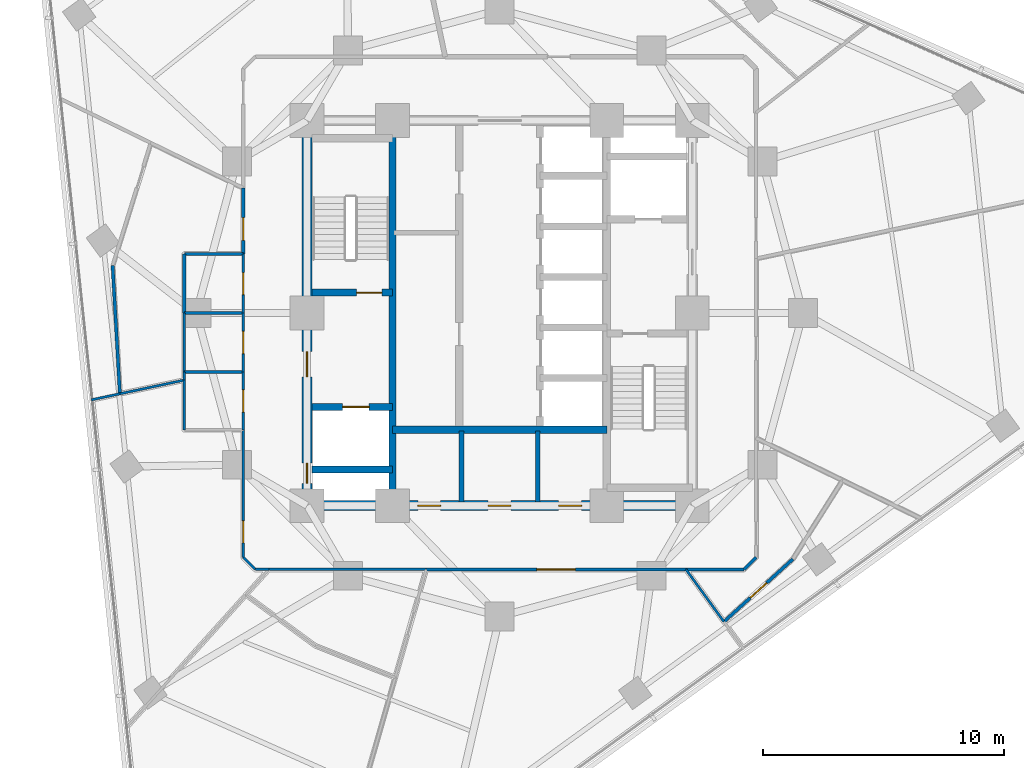
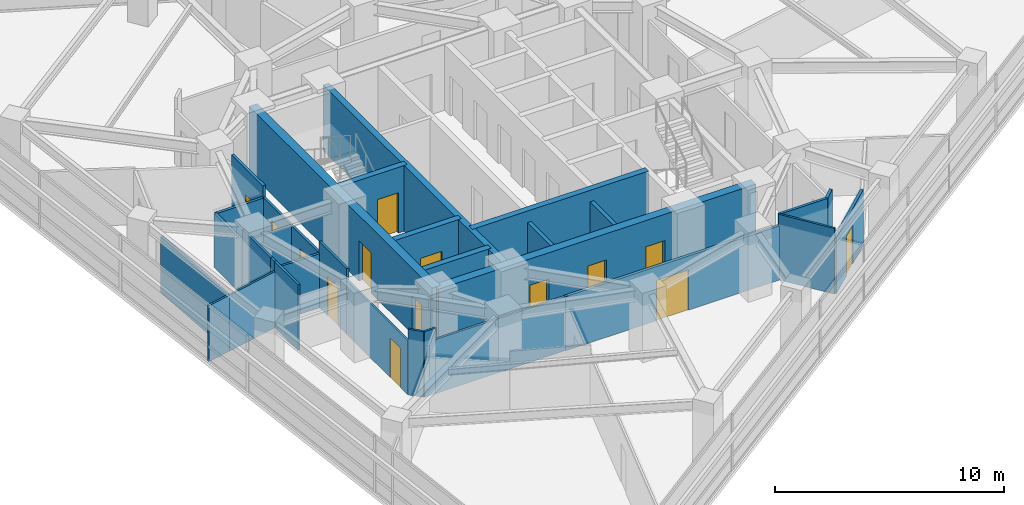
# One storey, part 8 of 14: 32 walls, 14 doors, 14 openings.
"""IFC4 building model written with IfcOpenShell, lengths in metres."""

from ifc_helpers import new_model, si_unit, direction, frame, frame_2d, origin, place, context, subcontext, project, spatial, rectangle, extrude, material, layer, layer_set, type_object, element, fill, save


model = new_model("IFC4")

# Units and contexts
model_context = context("Model", 3, precision=1e-05, world=origin(), true_north=direction((0.0, 1.0)))
body_context = subcontext(model_context, "Body", "Model", "MODEL_VIEW")
ifc_project = project(units=[si_unit("LENGTHUNIT", "METRE"), si_unit("AREAUNIT", "SQUARE_METRE"), si_unit("VOLUMEUNIT", "CUBIC_METRE"), si_unit("PLANEANGLEUNIT", "RADIAN"), si_unit("MASSUNIT", "GRAM", prefix="KILO")], contexts=[model_context])

# Site, building, storey
site_placement = place(None, origin())
site = spatial("IfcSite", under=ifc_project, at=site_placement, CompositionType="ELEMENT")
building_placement = place(site_placement, origin())
building = spatial("IfcBuilding", under=site, at=building_placement, Name="Terralouvre Media Tower", CompositionType="ELEMENT")
storey_placement = place(building_placement, frame((0.0, 0.0, 169.39990234375)))
storey = spatial("IfcBuildingStorey", under=building, at=storey_placement, Name="L43", CompositionType="ELEMENT", Elevation=169.39990234375)

# Wall
ifc_material_1 = material(Name="Concrete C50/60", Category="concrete")
ifc_layer_1 = layer(ifc_material_1, 0.300048828125, Name="Core Internal Shaft Wall CW-300")
ifc_layer_set_1 = layer_set([ifc_layer_1], Name="Concrete C50/60")
wall_type_1 = type_object("IfcWallType", Name="Core Internal Shaft Wall CW-300", PredefinedType="SHEAR", material=ifc_layer_set_1)
wall_1_placement = place(storey_placement, frame((-4.449951171875, -7.7900390625, 0.0), z_axis=(0.0, 0.0, 1.0), x_axis=(0.0, 1.0, 0.0)))
element("IfcWall", 1, at=wall_1_placement, inside=storey, type_object=wall_type_1, Name="L43 Core Shaft Wall SPW", PredefinedType="SHEAR", context=body_context, shape_type="SweptSolid", body=[
    extrude(rectangle(XDim=15.580078125, YDim=0.300048828125, at=frame_2d((7.7900390625, 0.0))), origin(), (0.0, 0.0, 1.0), 3.5),
])

# Wall, opening, door
wall_2_placement = place(storey_placement, frame((-7.7900390625, 0.85009765625, 0.0), z_axis=(0.0, 0.0, 1.0), x_axis=(1.0, 0.0, 0.0)))
wall_2 = element("IfcWall", 2, at=wall_2_placement, inside=storey, type_object=wall_type_1, Name="L43 Core Shaft Wall ST1D", PredefinedType="SHEAR", context=body_context, shape_type="SweptSolid", body=[
    extrude(rectangle(XDim=3.340087890625, YDim=0.300048828125, at=frame_2d((1.669921875, 0.0))), origin(), (0.0, 0.0, 1.0), 3.5),
])
opening_1_placement = place(wall_2_placement, frame((1.85009765625, 0.0, 0.0)))
opening_1 = element("IfcOpeningElement", 3, at=opening_1_placement, cuts=wall_2, Name="Opening FD-01-105X215", PredefinedType="OPENING", context=body_context, shape_type="SweptSolid", body=[
    extrude(rectangle(XDim=1.050048828125, YDim=2.14990234375, at=frame_2d((0.52490234375, 1.074951171875))), frame((0.0, 0.159912109375, 0.0), z_axis=(0.0, -1.0, 0.0), x_axis=(1.0, 0.0, 0.0)), (0.0, 0.0, 1.0), 0.320068359375),
])
ifc_material_2 = material(Name="Galvanised steel fire-resisting leaf", Category="steel")
door_type_1 = type_object("IfcDoorType", Name="Stair and Firefighting Lobby Fire Door FD-01 (1050x2150)", OperationType="NOTDEFINED", PredefinedType="DOOR", material=ifc_material_2)
door_1_placement = place(opening_1_placement, origin())
door_1 = element("IfcDoor", 4, at=door_1_placement, inside=storey, type_object=door_type_1, Name="L43 ST-01 Exit Stair Door", OperationType="SINGLE_SWING_LEFT", OverallHeight=2.14990234375, OverallWidth=1.050048828125, PredefinedType="DOOR", context=body_context, shape_type="SweptSolid", body=[
    extrude(rectangle(XDim=1.050048828125, YDim=2.14990234375, at=frame_2d((0.52490234375, 1.074951171875))), frame((0.0, 0.02490234375, 0.0), z_axis=(0.0, -1.0, 0.0), x_axis=(1.0, 0.0, 0.0)), (0.0, 0.0, 1.0), 0.050048828125),
])
fill(opening_1, door_1)

wall_3_placement = place(storey_placement, frame((-7.7900390625, -3.89990234375, 0.0), z_axis=(0.0, 0.0, 1.0), x_axis=(1.0, 0.0, 0.0)))
wall_3 = element("IfcWall", 5, at=wall_3_placement, inside=storey, type_object=wall_type_1, Name="L43 Core Shaft Wall FF1N", PredefinedType="SHEAR", context=body_context, shape_type="SweptSolid", body=[
    extrude(rectangle(XDim=3.340087890625, YDim=0.300048828125, at=frame_2d((1.669921875, 0.0))), origin(), (0.0, 0.0, 1.0), 3.5),
])
opening_2_placement = place(wall_3_placement, frame((1.27001953125, 0.0, 0.0)))
opening_2 = element("IfcOpeningElement", 6, at=opening_2_placement, cuts=wall_3, Name="Opening LD-FF", PredefinedType="OPENING", context=body_context, shape_type="SweptSolid", body=[
    extrude(rectangle(XDim=1.10009765625, YDim=2.10009765625, at=frame_2d((0.550048828125, 1.050048828125))), frame((0.0, 0.159912109375, 0.0), z_axis=(0.0, -1.0, 0.0), x_axis=(1.0, 0.0, 0.0)), (0.0, 0.0, 1.0), 0.320068359375),
])
ifc_material_3 = material(Name="Stainless steel 316 handrail and balustrade", Category="steel")
door_type_2 = type_object("IfcDoorType", Name="Firefighting Lift Sliding Landing Door LD-FF", OperationType="SLIDING_TO_LEFT", PredefinedType="DOOR", material=ifc_material_3)
door_2_placement = place(opening_2_placement, origin())
door_2 = element("IfcDoor", 7, at=door_2_placement, inside=storey, type_object=door_type_2, Name="L43 Firefighting Lift FFL-01 Landing Door", OperationType="SLIDING_TO_LEFT", OverallHeight=2.10009765625, OverallWidth=1.10009765625, PredefinedType="DOOR", context=body_context, shape_type="SweptSolid", body=[
    extrude(rectangle(XDim=1.10009765625, YDim=2.10009765625, at=frame_2d((0.550048828125, 1.050048828125))), frame((0.0, 0.02490234375, 0.0), z_axis=(0.0, -1.0, 0.0), x_axis=(1.0, 0.0, 0.0)), (0.0, 0.0, 1.0), 0.050048828125),
])
fill(opening_2, door_2)

# Walls
wall_4_placement = place(storey_placement, frame((-7.7900390625, -6.5, 0.0), z_axis=(0.0, 0.0, 1.0), x_axis=(1.0, 0.0, 0.0)))
element("IfcWall", 8, at=wall_4_placement, inside=storey, type_object=wall_type_1, Name="L43 Core Shaft Wall FF1S", PredefinedType="SHEAR", context=body_context, shape_type="SweptSolid", body=[
    extrude(rectangle(XDim=3.340087890625, YDim=0.300048828125, at=frame_2d((1.669921875, 0.0))), origin(), (0.0, 0.0, 1.0), 3.5),
])
wall_5_placement = place(storey_placement, frame((-4.449951171875, -4.85009765625, 0.0), z_axis=(0.0, 0.0, 1.0), x_axis=(1.0, 0.0, 0.0)))
element("IfcWall", 9, at=wall_5_placement, inside=storey, type_object=wall_type_1, Name="L43 Core Shaft Wall CSBN", PredefinedType="SHEAR", context=body_context, shape_type="SweptSolid", body=[
    extrude(rectangle(XDim=8.89990234375, YDim=0.300048828125, at=frame_2d((4.449951171875, 0.0))), origin(), (0.0, 0.0, 1.0), 3.5),
])

# Wall, openings, doors
ifc_material_4 = material(Name="Concrete C60/75", Category="concrete")
ifc_layer_2 = layer(ifc_material_4, 0.419921875, Name="Core Reinforced Concrete Shear Wall CW-420")
ifc_layer_set_2 = layer_set([ifc_layer_2], Name="Concrete C60/75")
wall_type_2 = type_object("IfcWallType", Name="Core Reinforced Concrete Shear Wall CW-420", PredefinedType="SHEAR", material=ifc_layer_set_2)
wall_6_placement = place(storey_placement, frame((-8.0, -8.0, 0.0), z_axis=(0.0, 0.0, 1.0), x_axis=(0.0, 1.0, 0.0)))
wall_6 = element("IfcWall", 10, at=wall_6_placement, inside=storey, type_object=wall_type_2, Name="L43 W Core Shear Wall", PredefinedType="SHEAR", context=body_context, shape_type="SweptSolid", body=[
    extrude(rectangle(XDim=16.0, YDim=0.419921875, at=frame_2d((8.0, 0.0))), origin(), (0.0, 0.0, 1.0), 3.5),
])
opening_3_placement = place(wall_6_placement, frame((0.921630859375, 0.0, 0.0)))
opening_3 = element("IfcOpeningElement", 11, at=opening_3_placement, cuts=wall_6, Name="Opening TD-R1", PredefinedType="OPENING", context=body_context, shape_type="SweptSolid", body=[
    extrude(rectangle(XDim=0.85009765625, YDim=2.02001953125, at=frame_2d((0.425048828125, 1.010009765625))), frame((0.0, 0.219970703125, 0.0), z_axis=(0.0, -1.0, 0.0), x_axis=(1.0, 0.0, 0.0)), (0.0, 0.0, 1.0), 0.43994140625),
])
opening_4_placement = place(wall_6_placement, frame((5.35009765625, 0.0, 0.0)))
opening_4 = element("IfcOpeningElement", 12, at=opening_4_placement, cuts=wall_6, Name="Opening FD-01-105X215", PredefinedType="OPENING", context=body_context, shape_type="SweptSolid", body=[
    extrude(rectangle(XDim=1.050048828125, YDim=2.14990234375, at=frame_2d((0.52490234375, 1.074951171875))), frame((0.0, 0.219970703125, 0.0), z_axis=(0.0, -1.0, 0.0), x_axis=(1.0, 0.0, 0.0)), (0.0, 0.0, 1.0), 0.43994140625),
])
ifc_material_5 = material(Name="Galvanised steel fire-resisting leaf", Category="steel")
door_type_3 = type_object("IfcDoorType", Name="Riser Inspection Access Trapdoor TD-R1", OperationType="NOTDEFINED", PredefinedType="TRAPDOOR", material=ifc_material_5)
door_3_placement = place(opening_3_placement, origin())
door_3 = element("IfcDoor", 13, at=door_3_placement, inside=storey, type_object=door_type_3, Name="L43 Wet Riser Access Trapdoor", OperationType="SINGLE_SWING_LEFT", OverallHeight=2.02001953125, OverallWidth=0.85009765625, PredefinedType="TRAPDOOR", context=body_context, shape_type="SweptSolid", body=[
    extrude(rectangle(XDim=0.85009765625, YDim=2.02001953125, at=frame_2d((0.425048828125, 1.010009765625))), frame((0.0, 0.02490234375, 0.0), z_axis=(0.0, -1.0, 0.0), x_axis=(1.0, 0.0, 0.0)), (0.0, 0.0, 1.0), 0.050048828125),
])
fill(opening_3, door_3)
door_4_placement = place(opening_4_placement, origin())
door_4 = element("IfcDoor", 14, at=door_4_placement, inside=storey, type_object=door_type_1, Name="L43 West Firefighting Lobby Entry Door", OperationType="SINGLE_SWING_RIGHT", OverallHeight=2.14990234375, OverallWidth=1.050048828125, PredefinedType="DOOR", context=body_context, shape_type="SweptSolid", body=[
    extrude(rectangle(XDim=1.050048828125, YDim=2.14990234375, at=frame_2d((0.52490234375, 1.074951171875))), frame((0.0, 0.02490234375, 0.0), z_axis=(0.0, -1.0, 0.0), x_axis=(1.0, 0.0, 0.0)), (0.0, 0.0, 1.0), 0.050048828125),
])
fill(opening_4, door_4)

wall_7_placement = place(storey_placement, frame((-8.0, -8.0, 0.0), z_axis=(0.0, 0.0, 1.0), x_axis=(1.0, 0.0, 0.0)))
wall_7 = element("IfcWall", 15, at=wall_7_placement, inside=storey, type_object=wall_type_2, Name="L43 S Core Shear Wall", PredefinedType="SHEAR", context=body_context, shape_type="SweptSolid", body=[
    extrude(rectangle(XDim=16.0, YDim=0.419921875, at=frame_2d((8.0, 0.0))), origin(), (0.0, 0.0, 1.0), 3.5),
])
opening_5_placement = place(wall_7_placement, frame((4.60009765625, 0.0, 0.0)))
opening_5 = element("IfcOpeningElement", 16, at=opening_5_placement, cuts=wall_7, Name="Opening FD-02-95X210", PredefinedType="OPENING", context=body_context, shape_type="SweptSolid", body=[
    extrude(rectangle(XDim=0.949951171875, YDim=2.10009765625, at=frame_2d((0.47509765625, 1.050048828125))), frame((0.0, 0.219970703125, 0.0), z_axis=(0.0, -1.0, 0.0), x_axis=(1.0, 0.0, 0.0)), (0.0, 0.0, 1.0), 0.43994140625),
])
opening_6_placement = place(wall_7_placement, frame((7.52001953125, 0.0, 0.0)))
opening_6 = element("IfcOpeningElement", 17, at=opening_6_placement, cuts=wall_7, Name="Opening FD-02-95X210", PredefinedType="OPENING", context=body_context, shape_type="SweptSolid", body=[
    extrude(rectangle(XDim=0.949951171875, YDim=2.10009765625, at=frame_2d((0.47509765625, 1.050048828125))), frame((0.0, 0.219970703125, 0.0), z_axis=(0.0, -1.0, 0.0), x_axis=(1.0, 0.0, 0.0)), (0.0, 0.0, 1.0), 0.43994140625),
])
opening_7_placement = place(wall_7_placement, frame((10.449951171875, 0.0, 0.0)))
opening_7 = element("IfcOpeningElement", 18, at=opening_7_placement, cuts=wall_7, Name="Opening FD-02-95X210", PredefinedType="OPENING", context=body_context, shape_type="SweptSolid", body=[
    extrude(rectangle(XDim=0.949951171875, YDim=2.10009765625, at=frame_2d((0.47509765625, 1.050048828125))), frame((0.0, 0.219970703125, 0.0), z_axis=(0.0, -1.0, 0.0), x_axis=(1.0, 0.0, 0.0)), (0.0, 0.0, 1.0), 0.43994140625),
])
ifc_material_6 = material(Name="Galvanised steel fire-resisting leaf", Category="steel")
door_type_4 = type_object("IfcDoorType", Name="Plant and Riser Fire Door FD-02 (950x2100)", OperationType="NOTDEFINED", PredefinedType="DOOR", material=ifc_material_6)
door_5_placement = place(opening_5_placement, origin())
door_5 = element("IfcDoor", 19, at=door_5_placement, inside=storey, type_object=door_type_4, Name="L43 Core Janitor Store Door", OperationType="SINGLE_SWING_LEFT", OverallHeight=2.10009765625, OverallWidth=0.949951171875, PredefinedType="DOOR", context=body_context, shape_type="SweptSolid", body=[
    extrude(rectangle(XDim=0.949951171875, YDim=2.10009765625, at=frame_2d((0.47509765625, 1.050048828125))), frame((0.0, 0.02490234375, 0.0), z_axis=(0.0, -1.0, 0.0), x_axis=(1.0, 0.0, 0.0)), (0.0, 0.0, 1.0), 0.050048828125),
])
fill(opening_5, door_5)
door_6_placement = place(opening_6_placement, origin())
door_6 = element("IfcDoor", 20, at=door_6_placement, inside=storey, type_object=door_type_4, Name="L43 Core Linen Store Door", OperationType="SINGLE_SWING_RIGHT", OverallHeight=2.10009765625, OverallWidth=0.949951171875, PredefinedType="DOOR", context=body_context, shape_type="SweptSolid", body=[
    extrude(rectangle(XDim=0.949951171875, YDim=2.10009765625, at=frame_2d((0.47509765625, 1.050048828125))), frame((0.0, 0.02490234375, 0.0), z_axis=(0.0, -1.0, 0.0), x_axis=(1.0, 0.0, 0.0)), (0.0, 0.0, 1.0), 0.050048828125),
])
fill(opening_6, door_6)
door_7_placement = place(opening_7_placement, origin())
door_7 = element("IfcDoor", 21, at=door_7_placement, inside=storey, type_object=door_type_4, Name="L43 Core Metering Plant Door", OperationType="SINGLE_SWING_LEFT", OverallHeight=2.10009765625, OverallWidth=0.949951171875, PredefinedType="DOOR", context=body_context, shape_type="SweptSolid", body=[
    extrude(rectangle(XDim=0.949951171875, YDim=2.10009765625, at=frame_2d((0.47509765625, 1.050048828125))), frame((0.0, 0.02490234375, 0.0), z_axis=(0.0, -1.0, 0.0), x_axis=(1.0, 0.0, 0.0)), (0.0, 0.0, 1.0), 0.050048828125),
])
fill(opening_7, door_7)

# Wall, opening, door
ifc_material_7 = material(Name="Low-iron laminated double glazing with solar-control coating", Category="glass")
ifc_layer_3 = layer(ifc_material_7, 0.10009765625, Name="Demountable Glazed Office Partition PT-GL100")
ifc_layer_set_3 = layer_set([ifc_layer_3], Name="Low-iron laminated double glazing with solar-control coating")
wall_type_3 = type_object("IfcWallType", Name="Demountable Glazed Office Partition PT-GL100", PredefinedType="MOVABLE", material=ifc_layer_set_3)
wall_8_placement = place(storey_placement, frame((-10.64990234375, -4.85009765625, 0.0), z_axis=(0.0, 0.0, 1.0), x_axis=(0.0, -1.0, 0.0)))
wall_8 = element("IfcWall", 22, at=wall_8_placement, inside=storey, type_object=wall_type_3, Name="L43 Interior Partition 003", PredefinedType="MOVABLE", context=body_context, shape_type="SweptSolid", body=[
    extrude(rectangle(XDim=5.2998046875, YDim=0.10009765625, at=frame_2d((2.64990234375, 0.0))), origin(), (0.0, 0.0, 1.0), 2.885009765625),
])
opening_8_placement = place(wall_8_placement, frame((3.780029296875, 0.0, 0.0)))
opening_8 = element("IfcOpeningElement", 23, at=opening_8_placement, cuts=wall_8, Name="Opening ID-03-92X210", PredefinedType="OPENING", context=body_context, shape_type="SweptSolid", body=[
    extrude(rectangle(XDim=0.919921875, YDim=2.10009765625, at=frame_2d((0.4599609375, 1.050048828125))), frame((0.0, 0.06005859375, 0.0), z_axis=(0.0, -1.0, 0.0), x_axis=(1.0, 0.0, 0.0)), (0.0, 0.0, 1.0), 0.1201171875),
])
ifc_material_8 = material(Name="Engineered hardwood acoustic timber leaf", Category="wood")
door_type_5 = type_object("IfcDoorType", Name="Accessible Restroom and Suite Door ID-03 (920x2100)", OperationType="NOTDEFINED", PredefinedType="DOOR", material=ifc_material_8)
door_8_placement = place(opening_8_placement, origin())
door_8 = element("IfcDoor", 24, at=door_8_placement, inside=storey, type_object=door_type_5, Name="L43 Journalism Training Classroom 1 Door", OperationType="SINGLE_SWING_RIGHT", OverallHeight=2.10009765625, OverallWidth=0.919921875, PredefinedType="DOOR", context=body_context, shape_type="SweptSolid", body=[
    extrude(rectangle(XDim=0.919921875, YDim=2.10009765625, at=frame_2d((0.4599609375, 1.050048828125))), frame((0.0, 0.02490234375, 0.0), z_axis=(0.0, -1.0, 0.0), x_axis=(1.0, 0.0, 0.0)), (0.0, 0.0, 1.0), 0.050048828125),
])
fill(opening_8, door_8)

# Walls
wall_9_placement = place(storey_placement, frame((-10.64990234375, -10.14990234375, 0.0), z_axis=(0.0, 0.0, 1.0), x_axis=(0.707106781187, -0.707106781187, 0.0)))
element("IfcWall", 25, at=wall_9_placement, inside=storey, type_object=wall_type_3, Name="L43 Interior Partition 004", PredefinedType="MOVABLE", context=body_context, shape_type="SweptSolid", body=[
    extrude(rectangle(XDim=0.70703125, YDim=0.10009765625, at=frame_2d((0.353515625, 0.0))), origin(), (0.0, 0.0, 1.0), 3.5),
])
wall_10_placement = place(storey_placement, frame((-10.14990234375, -10.64990234375, 0.0), z_axis=(0.0, 0.0, 1.0), x_axis=(1.0, 0.0, 0.0)))
element("IfcWall", 26, at=wall_10_placement, inside=storey, type_object=wall_type_3, Name="L43 Interior Partition 005", PredefinedType="MOVABLE", context=body_context, shape_type="SweptSolid", body=[
    extrude(rectangle(XDim=0.560791015625, YDim=0.10009765625, at=frame_2d((0.2802734375, 0.0))), origin(), (0.0, 0.0, 1.0), 3.5),
])
wall_11_placement = place(storey_placement, frame((-9.589111328125, -10.64990234375, 0.0), z_axis=(0.0, 0.0, 1.0), x_axis=(1.0, 0.0, 0.0)))
element("IfcWall", 27, at=wall_11_placement, inside=storey, type_object=wall_type_3, Name="L43 Interior Partition 006", PredefinedType="MOVABLE", context=body_context, shape_type="SweptSolid", body=[
    extrude(rectangle(XDim=6.53515625, YDim=0.10009765625, at=frame_2d((3.267578125, 0.0))), origin(), (0.0, 0.0, 1.0), 2.885009765625),
])
wall_12_placement = place(storey_placement, frame((-15.777099609375, -3.35302734375, 0.0), z_axis=(0.0, 0.0, 1.0), x_axis=(-0.978029023755, -0.208468771503, 0.0)))
element("IfcWall", 28, at=wall_12_placement, inside=storey, type_object=wall_type_3, Name="L43 Interior Partition 029", PredefinedType="MOVABLE", context=body_context, shape_type="SweptSolid", body=[
    extrude(rectangle(XDim=1.2109375, YDim=0.10009765625, at=frame_2d((0.60546875, 0.0))), origin(), (0.0, 0.0, 1.0), 2.985107421875),
])
wall_13_placement = place(storey_placement, frame((-13.10009765625, -2.783935546875, 0.0), z_axis=(0.0, 0.0, 1.0), x_axis=(-0.978141843994, -0.207938772307, 0.0)))
element("IfcWall", 29, at=wall_13_placement, inside=storey, type_object=wall_type_3, Name="L43 Interior Partition 030", PredefinedType="MOVABLE", context=body_context, shape_type="SweptSolid", body=[
    extrude(rectangle(XDim=2.73681640625, YDim=0.10009765625, at=frame_2d((1.368408203125, 0.0))), origin(), (0.0, 0.0, 1.0), 2.985107421875),
])
wall_14_placement = place(storey_placement, frame((9.31591796875, -12.822021484375, 0.0), z_axis=(0.0, 0.0, 1.0), x_axis=(-0.587722823028, 0.80906234821, 0.0)))
element("IfcWall", 30, at=wall_14_placement, inside=storey, type_object=wall_type_3, Name="L43 Interior Partition 035", PredefinedType="MOVABLE", context=body_context, shape_type="SweptSolid", body=[
    extrude(rectangle(XDim=2.684814453125, YDim=0.10009765625, at=frame_2d((1.34228515625, 0.0))), origin(), (0.0, 0.0, 1.0), 3.5),
])
ifc_material_9 = material(Name="Fire-rated gypsum board drywall partition")
ifc_layer_4 = layer(ifc_material_9, 0.199951171875, Name="Fire-Rated Shaft and Lobby Partition FW-200")
ifc_layer_set_4 = layer_set([ifc_layer_4], Name="Fire-rated gypsum board drywall partition")
wall_type_4 = type_object("IfcWallType", Name="Fire-Rated Shaft and Lobby Partition FW-200", PredefinedType="SOLIDWALL", material=ifc_layer_set_4)
for number, where, z_axis, x_axis, name in (
    (31, (-1.580078125, -7.85009765625, 0.0), (0.0, 0.0, 1.0), (0.0, 1.0, 0.0), "L43 Core Service Bay Partition 1"),
    (32, (1.580078125, -7.85009765625, 0.0), (0.0, 0.0, 1.0), (0.0, 1.0, 0.0), "L43 Core Service Bay Partition 2"),
):
    element("IfcWall", number, at=place(storey_placement, frame(where, z_axis=z_axis, x_axis=x_axis)), inside=storey, type_object=wall_type_4, Name=name, PredefinedType="SOLIDWALL", context=body_context, shape_type="SweptSolid", body=[
        extrude(rectangle(XDim=2.9501953125, YDim=0.199951171875, at=frame_2d((1.47509765625, 0.0))), origin(), (0.0, 0.0, 1.0), 2.885009765625),
    ])

# Wall, opening, door
ifc_material_10 = material(Name="Fire-rated gypsum board drywall partition")
ifc_layer_5 = layer(ifc_material_10, 0.135009765625, Name="Newsroom Acoustic Partition PT-135")
ifc_layer_set_5 = layer_set([ifc_layer_5], Name="Fire-rated gypsum board drywall partition")
wall_type_5 = type_object("IfcWallType", Name="Newsroom Acoustic Partition PT-135", PredefinedType="PARTITIONING", material=ifc_layer_set_5)
wall_15_placement = place(storey_placement, frame((-3.053955078125, -10.64990234375, 0.0), z_axis=(0.0, 0.0, 1.0), x_axis=(1.0, 0.0, 0.0)))
wall_15 = element("IfcWall", 33, at=wall_15_placement, inside=storey, type_object=wall_type_5, Name="L43 Interior Partition 007", PredefinedType="PARTITIONING", context=body_context, shape_type="SweptSolid", body=[
    extrude(rectangle(XDim=10.7919921875, YDim=0.135009765625, at=frame_2d((5.39599609375, 0.0))), origin(), (0.0, 0.0, 1.0), 2.885009765625),
])
opening_9_placement = place(wall_15_placement, frame((4.595947265625, 0.0, 0.0)))
opening_9 = element("IfcOpeningElement", 34, at=opening_9_placement, cuts=wall_15, Name="Opening ID-04-160X215", PredefinedType="OPENING", context=body_context, shape_type="SweptSolid", body=[
    extrude(rectangle(XDim=1.60009765625, YDim=2.14990234375, at=frame_2d((0.800048828125, 1.074951171875))), frame((0.0, 0.077392578125, 0.0), z_axis=(0.0, -1.0, 0.0), x_axis=(1.0, 0.0, 0.0)), (0.0, 0.0, 1.0), 0.155029296875),
])
ifc_material_11 = material(Name="Engineered hardwood acoustic timber leaf", Category="wood")
door_type_6 = type_object("IfcDoorType", Name="Conference Double Acoustic Door ID-04 (1600x2150)", OperationType="DOUBLE_DOOR_SINGLE_SWING", PredefinedType="DOOR", material=ifc_material_11)
door_9_placement = place(opening_9_placement, origin())
door_9 = element("IfcDoor", 35, at=door_9_placement, inside=storey, type_object=door_type_6, Name="L43 Digital Editing Lecture Room 4 Door", OperationType="DOUBLE_DOOR_SINGLE_SWING", OverallHeight=2.14990234375, OverallWidth=1.60009765625, PredefinedType="DOOR", context=body_context, shape_type="SweptSolid", body=[
    extrude(rectangle(XDim=1.60009765625, YDim=2.14990234375, at=frame_2d((0.800048828125, 1.074951171875))), frame((0.0, 0.02490234375, 0.0), z_axis=(0.0, -1.0, 0.0), x_axis=(1.0, 0.0, 0.0)), (0.0, 0.0, 1.0), 0.050048828125),
])
fill(opening_9, door_9)

# Walls
wall_16_placement = place(storey_placement, frame((7.738037109375, -10.64990234375, 0.0), z_axis=(0.0, 0.0, 1.0), x_axis=(1.0, 0.0, 0.0)))
element("IfcWall", 36, at=wall_16_placement, inside=storey, type_object=wall_type_5, Name="L43 Interior Partition 008", PredefinedType="PARTITIONING", context=body_context, shape_type="SweptSolid", body=[
    extrude(rectangle(XDim=2.411865234375, YDim=0.135009765625, at=frame_2d((1.2060546875, 0.0))), origin(), (0.0, 0.0, 1.0), 3.5),
])
wall_17_placement = place(storey_placement, frame((10.14990234375, -10.64990234375, 0.0), z_axis=(0.0, 0.0, 1.0), x_axis=(0.707106781187, 0.707106781187, 0.0)))
element("IfcWall", 37, at=wall_17_placement, inside=storey, type_object=wall_type_5, Name="L43 Interior Partition 009", PredefinedType="PARTITIONING", context=body_context, shape_type="SweptSolid", body=[
    extrude(rectangle(XDim=0.70703125, YDim=0.135009765625, at=frame_2d((0.353515625, 0.0))), origin(), (0.0, 0.0, 1.0), 3.5),
])

# Wall, opening, door
wall_18_placement = place(storey_placement, frame((-10.64990234375, 5.194091796875, 0.0), z_axis=(0.0, 0.0, 1.0), x_axis=(0.0, -1.0, 0.0)))
wall_18 = element("IfcWall", 38, at=wall_18_placement, inside=storey, type_object=wall_type_5, Name="L43 Interior Partition 019", PredefinedType="PARTITIONING", context=body_context, shape_type="SweptSolid", body=[
    extrude(rectangle(XDim=2.744140625, YDim=0.135009765625, at=frame_2d((1.3720703125, 0.0))), origin(), (0.0, 0.0, 1.0), 3.5),
])
opening_10_placement = place(wall_18_placement, frame((1.226318359375, 0.0, 0.0)))
opening_10 = element("IfcOpeningElement", 39, at=opening_10_placement, cuts=wall_18, Name="Opening ID-02-95X210", PredefinedType="OPENING", context=body_context, shape_type="SweptSolid", body=[
    extrude(rectangle(XDim=0.949951171875, YDim=2.10009765625, at=frame_2d((0.47509765625, 1.050048828125))), frame((0.0, 0.077392578125, 0.0), z_axis=(0.0, -1.0, 0.0), x_axis=(1.0, 0.0, 0.0)), (0.0, 0.0, 1.0), 0.155029296875),
])
ifc_material_12 = material(Name="Engineered hardwood acoustic timber leaf", Category="wood")
door_type_7 = type_object("IfcDoorType", Name="Office and Meeting Room Door ID-02 (950x2100)", OperationType="NOTDEFINED", PredefinedType="DOOR", material=ifc_material_12)
door_10_placement = place(opening_10_placement, origin())
door_10 = element("IfcDoor", 40, at=door_10_placement, inside=storey, type_object=door_type_7, Name="L43 Admissions Reception 13 Door", OperationType="SINGLE_SWING_LEFT", OverallHeight=2.10009765625, OverallWidth=0.949951171875, PredefinedType="DOOR", context=body_context, shape_type="SweptSolid", body=[
    extrude(rectangle(XDim=0.949951171875, YDim=2.10009765625, at=frame_2d((0.47509765625, 1.050048828125))), frame((0.0, 0.02490234375, 0.0), z_axis=(0.0, -1.0, 0.0), x_axis=(1.0, 0.0, 0.0)), (0.0, 0.0, 1.0), 0.050048828125),
])
fill(opening_10, door_10)

wall_19_placement = place(storey_placement, frame((9.31591796875, -12.822021484375, 0.0), z_axis=(0.0, 0.0, 1.0), x_axis=(0.740145591151, 0.672446655058, 0.0)))
wall_19 = element("IfcWall", 41, at=wall_19_placement, inside=storey, type_object=wall_type_5, Name="L43 Interior Partition 037", PredefinedType="PARTITIONING", context=body_context, shape_type="SweptSolid", body=[
    extrude(rectangle(XDim=3.86962890625, YDim=0.135009765625, at=frame_2d((1.934814453125, 0.0))), origin(), (0.0, 0.0, 1.0), 2.985107421875),
])
opening_11_placement = place(wall_19_placement, frame((1.474609375, 0.0, 0.0)))
opening_11 = element("IfcOpeningElement", 42, at=opening_11_placement, cuts=wall_19, Name="Opening ID-03-92X210", PredefinedType="OPENING", context=body_context, shape_type="SweptSolid", body=[
    extrude(rectangle(XDim=0.919921875, YDim=2.10009765625, at=frame_2d((0.4599609375, 1.050048828125))), frame((0.0, 0.077392578125, 0.0), z_axis=(0.0, -1.0, 0.0), x_axis=(1.0, 0.0, 0.0)), (0.0, 0.0, 1.0), 0.155029296875),
])
door_11_placement = place(opening_11_placement, origin())
door_11 = element("IfcDoor", 43, at=door_11_placement, inside=storey, type_object=door_type_5, Name="L43 Periodicals Reading Club 6 Door", OperationType="SINGLE_SWING_LEFT", OverallHeight=2.10009765625, OverallWidth=0.919921875, PredefinedType="DOOR", context=body_context, shape_type="SweptSolid", body=[
    extrude(rectangle(XDim=0.919921875, YDim=2.10009765625, at=frame_2d((0.4599609375, 1.050048828125))), frame((0.0, 0.02490234375, 0.0), z_axis=(0.0, -1.0, 0.0), x_axis=(1.0, 0.0, 0.0)), (0.0, 0.0, 1.0), 0.050048828125),
])
fill(opening_11, door_11)

# Walls
wall_20_placement = place(storey_placement, frame((-15.777099609375, -3.35302734375, 0.0), z_axis=(0.0, 0.0, 1.0), x_axis=(-0.056600228811, 0.99839692212, 0.0)))
element("IfcWall", 44, at=wall_20_placement, inside=storey, type_object=wall_type_5, Name="L43 Interior Partition 051", PredefinedType="PARTITIONING", context=body_context, shape_type="SweptSolid", body=[
    extrude(rectangle(XDim=5.335693359375, YDim=0.135009765625, at=frame_2d((2.66796875, 0.0))), origin(), (0.0, 0.0, 1.0), 2.985107421875),
])
wall_21_placement = place(storey_placement, frame((-13.10009765625, 0.0, 0.0), z_axis=(0.0, 0.0, 1.0), x_axis=(0.0, 1.0, 0.0)))
element("IfcWall", 45, at=wall_21_placement, inside=storey, type_object=wall_type_5, Name="L43 Interior Partition 053", PredefinedType="PARTITIONING", context=body_context, shape_type="SweptSolid", body=[
    extrude(rectangle(XDim=2.449951171875, YDim=0.135009765625, at=frame_2d((1.22509765625, 0.0))), origin(), (0.0, 0.0, 1.0), 2.885009765625),
])
wall_22_placement = place(storey_placement, frame((-13.10009765625, 2.449951171875, 0.0), z_axis=(0.0, 0.0, 1.0), x_axis=(1.0, 0.0, 0.0)))
element("IfcWall", 46, at=wall_22_placement, inside=storey, type_object=wall_type_5, Name="L43 Interior Partition 054", PredefinedType="PARTITIONING", context=body_context, shape_type="SweptSolid", body=[
    extrude(rectangle(XDim=2.4501953125, YDim=0.135009765625, at=frame_2d((1.22509765625, 0.0))), origin(), (0.0, 0.0, 1.0), 2.885009765625),
])

# Wall, opening, door
ifc_material_13 = material(Name="Fire-rated gypsum board drywall partition")
ifc_layer_6 = layer(ifc_material_13, 0.114990234375, Name="Restroom and Pantry Partition PT-115")
ifc_layer_set_6 = layer_set([ifc_layer_6], Name="Fire-rated gypsum board drywall partition")
wall_type_6 = type_object("IfcWallType", Name="Restroom and Pantry Partition PT-115", PredefinedType="PARTITIONING", material=ifc_layer_set_6)
wall_23_placement = place(storey_placement, frame((-10.64990234375, 0.0, 0.0), z_axis=(0.0, 0.0, 1.0), x_axis=(0.0, -1.0, 0.0)))
wall_23 = element("IfcWall", 47, at=wall_23_placement, inside=storey, type_object=wall_type_6, Name="L43 Interior Partition 001", PredefinedType="PARTITIONING", context=body_context, shape_type="SweptSolid", body=[
    extrude(rectangle(XDim=2.449951171875, YDim=0.114990234375, at=frame_2d((1.22509765625, 0.0))), origin(), (0.0, 0.0, 1.0), 2.885009765625),
])
opening_12_placement = place(wall_23_placement, frame((0.764892578125, 0.0, 0.0)))
opening_12 = element("IfcOpeningElement", 48, at=opening_12_placement, cuts=wall_23, Name="Opening ID-03-92X210", PredefinedType="OPENING", context=body_context, shape_type="SweptSolid", body=[
    extrude(rectangle(XDim=0.919921875, YDim=2.10009765625, at=frame_2d((0.4599609375, 1.050048828125))), frame((0.0, 0.0673828125, 0.0), z_axis=(0.0, -1.0, 0.0), x_axis=(1.0, 0.0, 0.0)), (0.0, 0.0, 1.0), 0.135009765625),
])
door_12_placement = place(opening_12_placement, origin())
door_12 = element("IfcDoor", 49, at=door_12_placement, inside=storey, type_object=door_type_5, Name="L43 Female Restroom WC Door", OperationType="SINGLE_SWING_RIGHT", OverallHeight=2.10009765625, OverallWidth=0.919921875, PredefinedType="DOOR", context=body_context, shape_type="SweptSolid", body=[
    extrude(rectangle(XDim=0.919921875, YDim=2.10009765625, at=frame_2d((0.4599609375, 1.050048828125))), frame((0.0, 0.02490234375, 0.0), z_axis=(0.0, -1.0, 0.0), x_axis=(1.0, 0.0, 0.0)), (0.0, 0.0, 1.0), 0.050048828125),
])
fill(opening_12, door_12)

wall_24_placement = place(storey_placement, frame((-10.64990234375, -2.449951171875, 0.0), z_axis=(0.0, 0.0, 1.0), x_axis=(0.0, -1.0, 0.0)))
wall_24 = element("IfcWall", 50, at=wall_24_placement, inside=storey, type_object=wall_type_6, Name="L43 Interior Partition 002", PredefinedType="PARTITIONING", context=body_context, shape_type="SweptSolid", body=[
    extrude(rectangle(XDim=2.400146484375, YDim=0.114990234375, at=frame_2d((1.2001953125, 0.0))), origin(), (0.0, 0.0, 1.0), 3.5),
])
opening_13_placement = place(wall_24_placement, frame((0.739990234375, 0.0, 0.0)))
opening_13 = element("IfcOpeningElement", 51, at=opening_13_placement, cuts=wall_24, Name="Opening ID-03-92X210", PredefinedType="OPENING", context=body_context, shape_type="SweptSolid", body=[
    extrude(rectangle(XDim=0.919921875, YDim=2.10009765625, at=frame_2d((0.4599609375, 1.050048828125))), frame((0.0, 0.0673828125, 0.0), z_axis=(0.0, -1.0, 0.0), x_axis=(1.0, 0.0, 0.0)), (0.0, 0.0, 1.0), 0.135009765625),
])
door_13_placement = place(opening_13_placement, origin())
door_13 = element("IfcDoor", 52, at=door_13_placement, inside=storey, type_object=door_type_5, Name="L43 Male Restroom WC Door", OperationType="SINGLE_SWING_LEFT", OverallHeight=2.10009765625, OverallWidth=0.919921875, PredefinedType="DOOR", context=body_context, shape_type="SweptSolid", body=[
    extrude(rectangle(XDim=0.919921875, YDim=2.10009765625, at=frame_2d((0.4599609375, 1.050048828125))), frame((0.0, 0.02490234375, 0.0), z_axis=(0.0, -1.0, 0.0), x_axis=(1.0, 0.0, 0.0)), (0.0, 0.0, 1.0), 0.050048828125),
])
fill(opening_13, door_13)

wall_25_placement = place(storey_placement, frame((-10.64990234375, 2.449951171875, 0.0), z_axis=(0.0, 0.0, 1.0), x_axis=(0.0, -1.0, 0.0)))
wall_25 = element("IfcWall", 53, at=wall_25_placement, inside=storey, type_object=wall_type_6, Name="L43 Interior Partition 020", PredefinedType="PARTITIONING", context=body_context, shape_type="SweptSolid", body=[
    extrude(rectangle(XDim=2.449951171875, YDim=0.114990234375, at=frame_2d((1.22509765625, 0.0))), origin(), (0.0, 0.0, 1.0), 2.885009765625),
])
opening_14_placement = place(wall_25_placement, frame((0.764892578125, 0.0, 0.0)))
opening_14 = element("IfcOpeningElement", 54, at=opening_14_placement, cuts=wall_25, Name="Opening ID-03-92X210", PredefinedType="OPENING", context=body_context, shape_type="SweptSolid", body=[
    extrude(rectangle(XDim=0.919921875, YDim=2.10009765625, at=frame_2d((0.4599609375, 1.050048828125))), frame((0.0, 0.0673828125, 0.0), z_axis=(0.0, -1.0, 0.0), x_axis=(1.0, 0.0, 0.0)), (0.0, 0.0, 1.0), 0.135009765625),
])
door_14_placement = place(opening_14_placement, origin())
door_14 = element("IfcDoor", 55, at=door_14_placement, inside=storey, type_object=door_type_5, Name="L43 Accessible Unisex WC Door", OperationType="SINGLE_SWING_RIGHT", OverallHeight=2.10009765625, OverallWidth=0.919921875, PredefinedType="DOOR", context=body_context, shape_type="SweptSolid", body=[
    extrude(rectangle(XDim=0.919921875, YDim=2.10009765625, at=frame_2d((0.4599609375, 1.050048828125))), frame((0.0, 0.02490234375, 0.0), z_axis=(0.0, -1.0, 0.0), x_axis=(1.0, 0.0, 0.0)), (0.0, 0.0, 1.0), 0.050048828125),
])
fill(opening_14, door_14)

# Walls
wall_26_placement = place(storey_placement, frame((-13.10009765625, -2.449951171875, 0.0), z_axis=(0.0, 0.0, 1.0), x_axis=(1.0, 0.0, 0.0)))
element("IfcWall", 56, at=wall_26_placement, inside=storey, type_object=wall_type_6, Name="L43 Interior Partition 021", PredefinedType="PARTITIONING", context=body_context, shape_type="SweptSolid", body=[
    extrude(rectangle(XDim=2.4501953125, YDim=0.114990234375, at=frame_2d((1.22509765625, 0.0))), origin(), (0.0, 0.0, 1.0), 2.885009765625),
])
wall_27_placement = place(storey_placement, frame((-13.10009765625, 0.0, 0.0), z_axis=(0.0, 0.0, 1.0), x_axis=(0.0, -1.0, 0.0)))
element("IfcWall", 57, at=wall_27_placement, inside=storey, type_object=wall_type_6, Name="L43 Interior Partition 022", PredefinedType="PARTITIONING", context=body_context, shape_type="SweptSolid", body=[
    extrude(rectangle(XDim=2.449951171875, YDim=0.114990234375, at=frame_2d((1.22509765625, 0.0))), origin(), (0.0, 0.0, 1.0), 3.5),
])
wall_28_placement = place(storey_placement, frame((-10.64990234375, 0.0, 0.0), z_axis=(0.0, 0.0, 1.0), x_axis=(-1.0, 0.0, 0.0)))
element("IfcWall", 58, at=wall_28_placement, inside=storey, type_object=wall_type_6, Name="L43 Interior Partition 023", PredefinedType="PARTITIONING", context=body_context, shape_type="SweptSolid", body=[
    extrude(rectangle(XDim=2.4501953125, YDim=0.114990234375, at=frame_2d((1.22509765625, 0.0))), origin(), (0.0, 0.0, 1.0), 2.885009765625),
])
wall_29_placement = place(storey_placement, frame((-13.10009765625, -2.783935546875, 0.0), z_axis=(0.0, 0.0, 1.0), x_axis=(0.0, -1.0, 0.0)))
element("IfcWall", 59, at=wall_29_placement, inside=storey, type_object=wall_type_6, Name="L43 Interior Partition 024", PredefinedType="PARTITIONING", context=body_context, shape_type="SweptSolid", body=[
    extrude(rectangle(XDim=2.066162109375, YDim=0.114990234375, at=frame_2d((1.033203125, 0.0))), origin(), (0.0, 0.0, 1.0), 3.5),
])
wall_30_placement = place(storey_placement, frame((-13.10009765625, -2.449951171875, 0.0), z_axis=(0.0, 0.0, 1.0), x_axis=(0.0, -1.0, 0.0)))
element("IfcWall", 60, at=wall_30_placement, inside=storey, type_object=wall_type_6, Name="L43 Interior Partition 026", PredefinedType="PARTITIONING", context=body_context, shape_type="SweptSolid", body=[
    extrude(rectangle(XDim=0.333984375, YDim=0.114990234375, at=frame_2d((0.1669921875, 0.0))), origin(), (0.0, 0.0, 1.0), 3.5),
])

save(model, "model.ifc")
